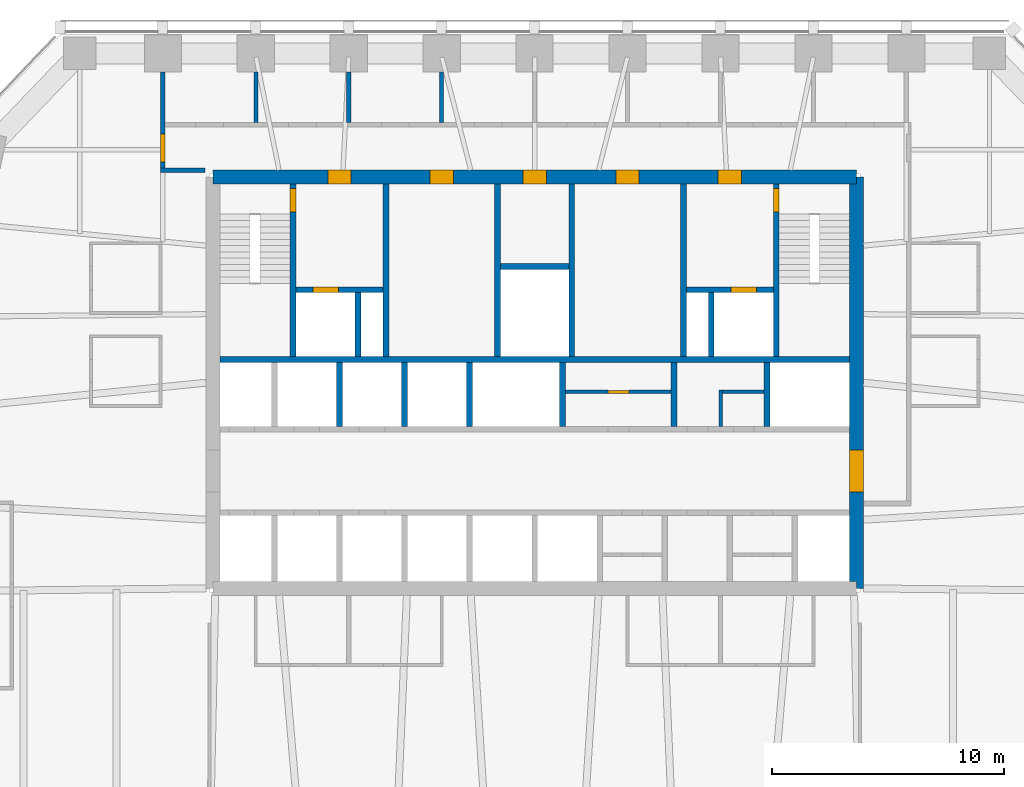
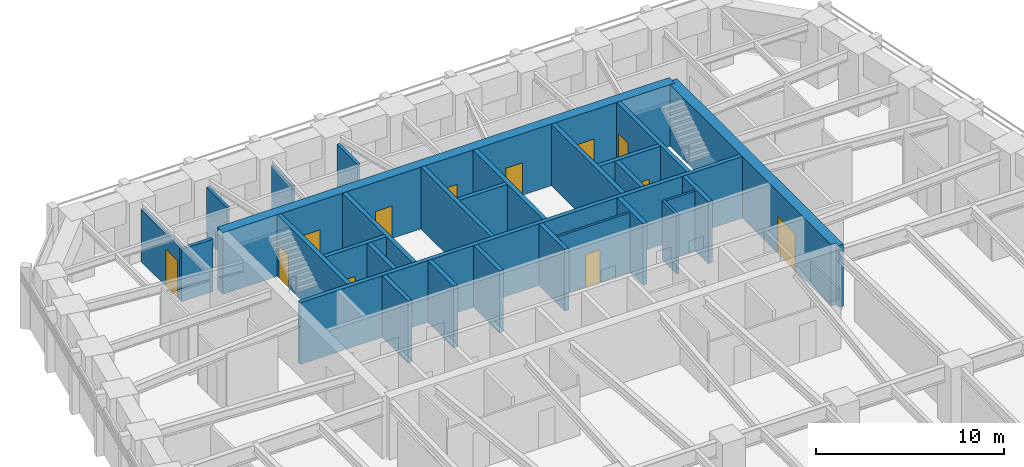
# One storey, part 7 of 10: 28 walls, 12 doors, 12 openings.
"""IFC4 building model written with IfcOpenShell, lengths in metres."""

from ifc_helpers import new_model, si_unit, direction, frame, frame_2d, origin, place, context, subcontext, project, spatial, polyline, rectangle, outline, extrude, material, layer, layer_set, type_object, element, fill, save


model = new_model("IFC4")

# Units and contexts
model_context = context("Model", 3, precision=1e-05, world=origin(), true_north=direction((0.0, 1.0)))
body_context = subcontext(model_context, "Body", "Model", "MODEL_VIEW")
ifc_project = project(units=[si_unit("LENGTHUNIT", "METRE"), si_unit("AREAUNIT", "SQUARE_METRE"), si_unit("VOLUMEUNIT", "CUBIC_METRE"), si_unit("PLANEANGLEUNIT", "RADIAN"), si_unit("MASSUNIT", "GRAM", prefix="KILO")], contexts=[model_context])

# Site, building, storey
site_placement = place(None, origin())
site = spatial("IfcSite", under=ifc_project, at=site_placement, CompositionType="ELEMENT")
building_placement = place(site_placement, origin())
building = spatial("IfcBuilding", under=site, at=building_placement, Name="Isbrekke Arena Tower", CompositionType="ELEMENT")
storey_placement = place(building_placement, frame((0.0, 0.0, 218.0)))
storey = spatial("IfcBuildingStorey", under=building, at=storey_placement, Name="L50", CompositionType="ELEMENT", Elevation=218.0)

# Wall, opening, door
ifc_material_1 = material(Name="Concrete B55 (C55/67)", Category="concrete")
ifc_layer_1 = layer(ifc_material_1, 0.60009765625)
ifc_layer_set_1 = layer_set([ifc_layer_1], Name="CW4 CORE WALL 600")
wall_type_1 = type_object("IfcWallType", Name="CW4 CORE WALL 600", PredefinedType="SHEAR", material=ifc_layer_set_1)
wall_1_placement = place(storey_placement, frame((13.85009765625, 6.14990234375, 0.0), z_axis=(0.0, 0.0, 1.0), x_axis=(0.0, 1.0, 0.0)))
wall_1 = element("IfcWall", 1, at=wall_1_placement, inside=storey, type_object=wall_type_1, Name="Core wall E L50", PredefinedType="SHEAR", context=body_context, shape_type="SweptSolid", body=[
    extrude(outline(polyline([(0.0, -0.300048828125), (17.7001953125, -0.300048828125), (17.7001953125, 0.0), (17.400146484375, 0.0), (17.400146484375, 0.300048828125), (0.300048828125, 0.300048828125), (0.300048828125, 0.0), (0.0, 0.0), (0.0, -0.300048828125)])), origin(), (0.0, 0.0, 1.0), 4.0),
])
opening_1_placement = place(wall_1_placement, frame((4.14990234375, 0.0, 0.0)))
opening_1 = element("IfcOpeningElement", 2, at=opening_1_placement, cuts=wall_1, Name="Opening D1", PredefinedType="OPENING", context=body_context, shape_type="SweptSolid", body=[
    extrude(rectangle(XDim=1.800048828125, YDim=2.39990234375, at=frame_2d((0.89990234375, 1.199951171875))), frame((0.0, 0.31494140625, 0.0), z_axis=(0.0, -1.0, 0.0), x_axis=(1.0, 0.0, 0.0)), (0.0, 0.0, 1.0), 0.6298828125),
])
ifc_material_2 = material(Name="Steel-framed glazed fire door", Category="steel")
door_type_1 = type_object("IfcDoorType", Name="D1 CORE LOBBY DOOR 1800 x 2400", OperationType="DOUBLE_DOOR_SINGLE_SWING", PredefinedType="DOOR", material=ifc_material_2)
door_1_placement = place(opening_1_placement, origin())
door_1 = element("IfcDoor", 3, at=door_1_placement, inside=storey, type_object=door_type_1, Name="D1 lift lobby door east L50", OperationType="DOUBLE_DOOR_SINGLE_SWING", OverallHeight=2.39990234375, OverallWidth=1.800048828125, PredefinedType="DOOR", context=body_context, shape_type="SweptSolid", body=[
    extrude(rectangle(XDim=1.800048828125, YDim=2.39990234375, at=frame_2d((0.89990234375, 1.199951171875))), frame((0.0, 0.2998046875, 0.0), z_axis=(0.0, -1.0, 0.0), x_axis=(1.0, 0.0, 0.0)), (0.0, 0.0, 1.0), 0.599609375),
])
fill(opening_1, door_1)

# Wall, openings, doors
wall_2_placement = place(storey_placement, frame((13.85009765625, 23.85009765625, 0.0), z_axis=(0.0, 0.0, 1.0), x_axis=(-1.0, 0.0, 0.0)))
wall_2 = element("IfcWall", 4, at=wall_2_placement, inside=storey, type_object=wall_type_1, Name="Core wall N L50", PredefinedType="SHEAR", context=body_context, shape_type="SweptSolid", body=[
    extrude(rectangle(XDim=27.7001953125, YDim=0.60009765625, at=frame_2d((13.85009765625, 0.0))), origin(), (0.0, 0.0, 1.0), 4.0),
])
opening_2_placement = place(wall_2_placement, frame((21.75, 0.0, 0.0)))
opening_2 = element("IfcOpeningElement", 5, at=opening_2_placement, cuts=wall_2, Name="Opening D3", PredefinedType="OPENING", context=body_context, shape_type="SweptSolid", body=[
    extrude(rectangle(XDim=1.0, YDim=2.10009765625, at=frame_2d((0.5, 1.050048828125))), frame((0.0, 0.31494140625, 0.0), z_axis=(0.0, -1.0, 0.0), x_axis=(1.0, 0.0, 0.0)), (0.0, 0.0, 1.0), 0.6298828125),
])
opening_3_placement = place(wall_2_placement, frame((4.949951171875, 0.0, 0.0)))
opening_3 = element("IfcOpeningElement", 6, at=opening_3_placement, cuts=wall_2, Name="Opening D3", PredefinedType="OPENING", context=body_context, shape_type="SweptSolid", body=[
    extrude(rectangle(XDim=1.0, YDim=2.10009765625, at=frame_2d((0.5, 1.050048828125))), frame((0.0, 0.31494140625, 0.0), z_axis=(0.0, -1.0, 0.0), x_axis=(1.0, 0.0, 0.0)), (0.0, 0.0, 1.0), 0.6298828125),
])
opening_4_placement = place(wall_2_placement, frame((17.35009765625, 0.0, 0.0)))
opening_4 = element("IfcOpeningElement", 7, at=opening_4_placement, cuts=wall_2, Name="Opening D4", PredefinedType="OPENING", context=body_context, shape_type="SweptSolid", body=[
    extrude(rectangle(XDim=1.0, YDim=2.10009765625, at=frame_2d((0.5, 1.050048828125))), frame((0.0, 0.31494140625, 0.0), z_axis=(0.0, -1.0, 0.0), x_axis=(1.0, 0.0, 0.0)), (0.0, 0.0, 1.0), 0.6298828125),
])
opening_5_placement = place(wall_2_placement, frame((13.35009765625, 0.0, 0.0)))
opening_5 = element("IfcOpeningElement", 8, at=opening_5_placement, cuts=wall_2, Name="Opening D4", PredefinedType="OPENING", context=body_context, shape_type="SweptSolid", body=[
    extrude(rectangle(XDim=1.0, YDim=2.10009765625, at=frame_2d((0.5, 1.050048828125))), frame((0.0, 0.31494140625, 0.0), z_axis=(0.0, -1.0, 0.0), x_axis=(1.0, 0.0, 0.0)), (0.0, 0.0, 1.0), 0.6298828125),
])
opening_6_placement = place(wall_2_placement, frame((9.35009765625, 0.0, 0.0)))
opening_6 = element("IfcOpeningElement", 9, at=opening_6_placement, cuts=wall_2, Name="Opening D4", PredefinedType="OPENING", context=body_context, shape_type="SweptSolid", body=[
    extrude(rectangle(XDim=1.0, YDim=2.10009765625, at=frame_2d((0.5, 1.050048828125))), frame((0.0, 0.31494140625, 0.0), z_axis=(0.0, -1.0, 0.0), x_axis=(1.0, 0.0, 0.0)), (0.0, 0.0, 1.0), 0.6298828125),
])
ifc_material_3 = material(Name="Steel fire door", Category="steel")
door_type_2 = type_object("IfcDoorType", Name="D3 FIRE LOBBY DOOR 1000 x 2100", OperationType="SINGLE_SWING_RIGHT", PredefinedType="DOOR", material=ifc_material_3)
door_2_placement = place(opening_2_placement, origin())
door_2 = element("IfcDoor", 10, at=door_2_placement, inside=storey, type_object=door_type_2, Name="D3 fire-fighting lobby door L50", OperationType="SINGLE_SWING_RIGHT", OverallHeight=2.10009765625, OverallWidth=1.0, PredefinedType="DOOR", context=body_context, shape_type="SweptSolid", body=[
    extrude(rectangle(XDim=1.0, YDim=2.10009765625, at=frame_2d((0.5, 1.050048828125))), frame((0.0, 0.2998046875, 0.0), z_axis=(0.0, -1.0, 0.0), x_axis=(1.0, 0.0, 0.0)), (0.0, 0.0, 1.0), 0.599609375),
])
fill(opening_2, door_2)
door_3_placement = place(opening_3_placement, origin())
door_3 = element("IfcDoor", 11, at=door_3_placement, inside=storey, type_object=door_type_2, Name="D3 fire-fighting lobby door L50", OperationType="SINGLE_SWING_RIGHT", OverallHeight=2.10009765625, OverallWidth=1.0, PredefinedType="DOOR", context=body_context, shape_type="SweptSolid", body=[
    extrude(rectangle(XDim=1.0, YDim=2.10009765625, at=frame_2d((0.5, 1.050048828125))), frame((0.0, 0.2998046875, 0.0), z_axis=(0.0, -1.0, 0.0), x_axis=(1.0, 0.0, 0.0)), (0.0, 0.0, 1.0), 0.599609375),
])
fill(opening_3, door_3)
ifc_material_4 = material(Name="Timber door", Category="wood")
door_type_3 = type_object("IfcDoorType", Name="D4 WC DOOR 1000 x 2100", OperationType="SINGLE_SWING_LEFT", PredefinedType="DOOR", material=ifc_material_4)
door_4_placement = place(opening_4_placement, origin())
door_4 = element("IfcDoor", 12, at=door_4_placement, inside=storey, type_object=door_type_3, Name="D4 wc female door L50", OperationType="SINGLE_SWING_LEFT", OverallHeight=2.10009765625, OverallWidth=1.0, PredefinedType="DOOR", context=body_context, shape_type="SweptSolid", body=[
    extrude(rectangle(XDim=1.0, YDim=2.10009765625, at=frame_2d((0.5, 1.050048828125))), frame((0.0, 0.2998046875, 0.0), z_axis=(0.0, -1.0, 0.0), x_axis=(1.0, 0.0, 0.0)), (0.0, 0.0, 1.0), 0.599609375),
])
fill(opening_4, door_4)
door_5_placement = place(opening_5_placement, origin())
door_5 = element("IfcDoor", 13, at=door_5_placement, inside=storey, type_object=door_type_3, Name="D4 accessible wc door L50", OperationType="SINGLE_SWING_LEFT", OverallHeight=2.10009765625, OverallWidth=1.0, PredefinedType="DOOR", context=body_context, shape_type="SweptSolid", body=[
    extrude(rectangle(XDim=1.0, YDim=2.10009765625, at=frame_2d((0.5, 1.050048828125))), frame((0.0, 0.2998046875, 0.0), z_axis=(0.0, -1.0, 0.0), x_axis=(1.0, 0.0, 0.0)), (0.0, 0.0, 1.0), 0.599609375),
])
fill(opening_5, door_5)
door_6_placement = place(opening_6_placement, origin())
door_6 = element("IfcDoor", 14, at=door_6_placement, inside=storey, type_object=door_type_3, Name="D4 wc male door L50", OperationType="SINGLE_SWING_LEFT", OverallHeight=2.10009765625, OverallWidth=1.0, PredefinedType="DOOR", context=body_context, shape_type="SweptSolid", body=[
    extrude(rectangle(XDim=1.0, YDim=2.10009765625, at=frame_2d((0.5, 1.050048828125))), frame((0.0, 0.2998046875, 0.0), z_axis=(0.0, -1.0, 0.0), x_axis=(1.0, 0.0, 0.0)), (0.0, 0.0, 1.0), 0.599609375),
])
fill(opening_6, door_6)

# Walls
ifc_material_5 = material(Name="Concrete B45 (C45/55)", Category="concrete")
ifc_layer_2 = layer(ifc_material_5, 0.25)
ifc_layer_set_2 = layer_set([ifc_layer_2], Name="CW6 SHAFT WALL 250")
wall_type_2 = type_object("IfcWallType", Name="CW6 SHAFT WALL 250", PredefinedType="SHEAR", material=ifc_layer_set_2)
wall_3_placement = place(storey_placement, frame((-13.550048828125, 16.0, 0.0), z_axis=(0.0, 0.0, 1.0), x_axis=(1.0, 0.0, 0.0)))
element("IfcWall", 15, at=wall_3_placement, inside=storey, type_object=wall_type_2, Name="Core wall NB L50", PredefinedType="SHEAR", context=body_context, shape_type="SweptSolid", body=[
    extrude(rectangle(XDim=27.10009765625, YDim=0.25, at=frame_2d((13.550048828125, 0.0))), origin(), (0.0, 0.0, 1.0), 4.0),
])
for number, where, z_axis, x_axis, name in (
    (16, (-8.39990234375, 13.125, 0.0), (0.0, 0.0, 1.0), (0.0, 1.0, 0.0), "Core wall SN02 L50"),
    (17, (-5.60009765625, 13.125, 0.0), (0.0, 0.0, 1.0), (0.0, 1.0, 0.0), "Core wall SN03 L50"),
    (18, (-2.800048828125, 13.125, 0.0), (0.0, 0.0, 1.0), (0.0, 1.0, 0.0), "Core wall SN04 L50"),
    (19, (1.199951171875, 13.125, 0.0), (0.0, 0.0, 1.0), (0.0, 1.0, 0.0), "Core wall SN05 L50"),
    (20, (6.0, 13.125, 0.0), (0.0, 0.0, 1.0), (0.0, 1.0, 0.0), "Core wall SN06 L50"),
    (21, (10.0, 13.125, 0.0), (0.0, 0.0, 1.0), (0.0, 1.0, 0.0), "Core wall SN07 L50"),
):
    element("IfcWall", number, at=place(storey_placement, frame(where, z_axis=z_axis, x_axis=x_axis)), inside=storey, type_object=wall_type_2, Name=name, PredefinedType="SHEAR", context=body_context, shape_type="SweptSolid", body=[
        extrude(rectangle(XDim=2.75, YDim=0.25, at=frame_2d((1.375, 0.0))), origin(), (0.0, 0.0, 1.0), 4.0),
    ])

# Wall, opening, door
wall_4_placement = place(storey_placement, frame((-10.39990234375, 16.125, 0.0), z_axis=(0.0, 0.0, 1.0), x_axis=(0.0, 1.0, 0.0)))
wall_4 = element("IfcWall", 22, at=wall_4_placement, inside=storey, type_object=wall_type_2, Name="Core wall NV01 L50", PredefinedType="SHEAR", context=body_context, shape_type="SweptSolid", body=[
    extrude(rectangle(XDim=7.425048828125, YDim=0.25, at=frame_2d((3.71240234375, 0.0))), origin(), (0.0, 0.0, 1.0), 4.0),
])
opening_7_placement = place(wall_4_placement, frame((6.22509765625, 0.0, 0.0)))
opening_7 = element("IfcOpeningElement", 23, at=opening_7_placement, cuts=wall_4, Name="Opening D2", PredefinedType="OPENING", context=body_context, shape_type="SweptSolid", body=[
    extrude(rectangle(XDim=1.0, YDim=2.10009765625, at=frame_2d((0.5, 1.050048828125))), frame((0.0, 0.139892578125, 0.0), z_axis=(0.0, -1.0, 0.0), x_axis=(1.0, 0.0, 0.0)), (0.0, 0.0, 1.0), 0.27978515625),
])
ifc_material_6 = material(Name="Steel fire door", Category="steel")
door_type_4 = type_object("IfcDoorType", Name="D2 STAIR DOOR 1000 x 2100", OperationType="SINGLE_SWING_LEFT", PredefinedType="DOOR", material=ifc_material_6)
door_7_placement = place(opening_7_placement, origin())
door_7 = element("IfcDoor", 24, at=door_7_placement, inside=storey, type_object=door_type_4, Name="D2 stair door ST1 L50", OperationType="SINGLE_SWING_LEFT", OverallHeight=2.10009765625, OverallWidth=1.0, PredefinedType="DOOR", context=body_context, shape_type="SweptSolid", body=[
    extrude(rectangle(XDim=1.0, YDim=2.10009765625, at=frame_2d((0.5, 1.050048828125))), frame((0.0, 0.124755859375, 0.0), z_axis=(0.0, -1.0, 0.0), x_axis=(1.0, 0.0, 0.0)), (0.0, 0.0, 1.0), 0.24951171875),
])
fill(opening_7, door_7)

# Walls
for number, where, z_axis, x_axis, name in (
    (25, (-6.39990234375, 16.125, 0.0), (0.0, 0.0, 1.0), (0.0, 1.0, 0.0), "Core wall NV02 L50"),
    (26, (-1.60009765625, 16.125, 0.0), (0.0, 0.0, 1.0), (0.0, 1.0, 0.0), "Core wall NV03 L50"),
    (27, (1.60009765625, 16.125, 0.0), (0.0, 0.0, 1.0), (0.0, 1.0, 0.0), "Core wall NV04 L50"),
    (28, (6.39990234375, 16.125, 0.0), (0.0, 0.0, 1.0), (0.0, 1.0, 0.0), "Core wall NV05 L50"),
):
    element("IfcWall", number, at=place(storey_placement, frame(where, z_axis=z_axis, x_axis=x_axis)), inside=storey, type_object=wall_type_2, Name=name, PredefinedType="SHEAR", context=body_context, shape_type="SweptSolid", body=[
        extrude(rectangle(XDim=7.425048828125, YDim=0.25, at=frame_2d((3.71240234375, 0.0))), origin(), (0.0, 0.0, 1.0), 4.0),
    ])

# Wall, opening, door
wall_5_placement = place(storey_placement, frame((10.39990234375, 16.125, 0.0), z_axis=(0.0, 0.0, 1.0), x_axis=(0.0, 1.0, 0.0)))
wall_5 = element("IfcWall", 29, at=wall_5_placement, inside=storey, type_object=wall_type_2, Name="Core wall NV06 L50", PredefinedType="SHEAR", context=body_context, shape_type="SweptSolid", body=[
    extrude(rectangle(XDim=7.425048828125, YDim=0.25, at=frame_2d((3.71240234375, 0.0))), origin(), (0.0, 0.0, 1.0), 4.0),
])
opening_8_placement = place(wall_5_placement, frame((6.22509765625, 0.0, 0.0)))
opening_8 = element("IfcOpeningElement", 30, at=opening_8_placement, cuts=wall_5, Name="Opening D2", PredefinedType="OPENING", context=body_context, shape_type="SweptSolid", body=[
    extrude(rectangle(XDim=1.0, YDim=2.10009765625, at=frame_2d((0.5, 1.050048828125))), frame((0.0, 0.139892578125, 0.0), z_axis=(0.0, -1.0, 0.0), x_axis=(1.0, 0.0, 0.0)), (0.0, 0.0, 1.0), 0.27978515625),
])
door_8_placement = place(opening_8_placement, origin())
door_8 = element("IfcDoor", 31, at=door_8_placement, inside=storey, type_object=door_type_4, Name="D2 stair door ST2 L50", OperationType="SINGLE_SWING_LEFT", OverallHeight=2.10009765625, OverallWidth=1.0, PredefinedType="DOOR", context=body_context, shape_type="SweptSolid", body=[
    extrude(rectangle(XDim=1.0, YDim=2.10009765625, at=frame_2d((0.5, 1.050048828125))), frame((0.0, 0.124755859375, 0.0), z_axis=(0.0, -1.0, 0.0), x_axis=(1.0, 0.0, 0.0)), (0.0, 0.0, 1.0), 0.24951171875),
])
fill(opening_8, door_8)

wall_6_placement = place(storey_placement, frame((-10.27490234375, 19.0, 0.0), z_axis=(0.0, 0.0, 1.0), x_axis=(1.0, 0.0, 0.0)))
wall_6 = element("IfcWall", 32, at=wall_6_placement, inside=storey, type_object=wall_type_2, Name="Core wall NFW L50", PredefinedType="SHEAR", context=body_context, shape_type="SweptSolid", body=[
    extrude(rectangle(XDim=3.75, YDim=0.25, at=frame_2d((1.875, 0.0))), origin(), (0.0, 0.0, 1.0), 4.0),
])
opening_9_placement = place(wall_6_placement, frame((0.72509765625, 0.0, 0.0)))
opening_9 = element("IfcOpeningElement", 33, at=opening_9_placement, cuts=wall_6, Name="Opening LD2", PredefinedType="OPENING", context=body_context, shape_type="SweptSolid", body=[
    extrude(rectangle(XDim=1.10009765625, YDim=2.10009765625, at=frame_2d((0.550048828125, 1.050048828125))), frame((0.0, 0.139892578125, 0.0), z_axis=(0.0, -1.0, 0.0), x_axis=(1.0, 0.0, 0.0)), (0.0, 0.0, 1.0), 0.27978515625),
])
ifc_material_7 = material(Name="Stainless steel lift landing door", Category="steel")
door_type_5 = type_object("IfcDoorType", Name="LD2 FIRE-FIGHTING LIFT LANDING DOOR 1100 x 2100", OperationType="SLIDING_TO_RIGHT", PredefinedType="DOOR", material=ifc_material_7)
door_9_placement = place(opening_9_placement, origin())
door_9 = element("IfcDoor", 34, at=door_9_placement, inside=storey, type_object=door_type_5, Name="LD2 lift landing door LF L50", OperationType="SLIDING_TO_RIGHT", OverallHeight=2.10009765625, OverallWidth=1.10009765625, PredefinedType="DOOR", context=body_context, shape_type="SweptSolid", body=[
    extrude(rectangle(XDim=1.10009765625, YDim=2.10009765625, at=frame_2d((0.550048828125, 1.050048828125))), frame((0.0, 0.124755859375, 0.0), z_axis=(0.0, -1.0, 0.0), x_axis=(1.0, 0.0, 0.0)), (0.0, 0.0, 1.0), 0.24951171875),
])
fill(opening_9, door_9)

wall_7_placement = place(storey_placement, frame((6.52490234375, 19.0, 0.0), z_axis=(0.0, 0.0, 1.0), x_axis=(1.0, 0.0, 0.0)))
wall_7 = element("IfcWall", 35, at=wall_7_placement, inside=storey, type_object=wall_type_2, Name="Core wall NFE L50", PredefinedType="SHEAR", context=body_context, shape_type="SweptSolid", body=[
    extrude(rectangle(XDim=3.75, YDim=0.25, at=frame_2d((1.875, 0.0))), origin(), (0.0, 0.0, 1.0), 4.0),
])
opening_10_placement = place(wall_7_placement, frame((1.925048828125, 0.0, 0.0)))
opening_10 = element("IfcOpeningElement", 36, at=opening_10_placement, cuts=wall_7, Name="Opening LD2", PredefinedType="OPENING", context=body_context, shape_type="SweptSolid", body=[
    extrude(rectangle(XDim=1.10009765625, YDim=2.10009765625, at=frame_2d((0.550048828125, 1.050048828125))), frame((0.0, 0.139892578125, 0.0), z_axis=(0.0, -1.0, 0.0), x_axis=(1.0, 0.0, 0.0)), (0.0, 0.0, 1.0), 0.27978515625),
])
door_10_placement = place(opening_10_placement, origin())
door_10 = element("IfcDoor", 37, at=door_10_placement, inside=storey, type_object=door_type_5, Name="LD2 lift landing door LF L50", OperationType="SLIDING_TO_RIGHT", OverallHeight=2.10009765625, OverallWidth=1.10009765625, PredefinedType="DOOR", context=body_context, shape_type="SweptSolid", body=[
    extrude(rectangle(XDim=1.10009765625, YDim=2.10009765625, at=frame_2d((0.550048828125, 1.050048828125))), frame((0.0, 0.124755859375, 0.0), z_axis=(0.0, -1.0, 0.0), x_axis=(1.0, 0.0, 0.0)), (0.0, 0.0, 1.0), 0.24951171875),
])
fill(opening_10, door_10)

# Walls
for number, where, z_axis, x_axis, name in (
    (38, (-7.60009765625, 16.125, 0.0), (0.0, 0.0, 1.0), (0.0, 1.0, 0.0), "Core wall NFS1 L50"),
    (39, (7.60009765625, 16.125, 0.0), (0.0, 0.0, 1.0), (0.0, 1.0, 0.0), "Core wall NFS2 L50"),
):
    element("IfcWall", number, at=place(storey_placement, frame(where, z_axis=z_axis, x_axis=x_axis)), inside=storey, type_object=wall_type_2, Name=name, PredefinedType="SHEAR", context=body_context, shape_type="SweptSolid", body=[
        extrude(rectangle(XDim=2.75, YDim=0.25, at=frame_2d((1.375, 0.0))), origin(), (0.0, 0.0, 1.0), 4.0),
    ])
wall_8_placement = place(storey_placement, frame((-1.47509765625, 20.0, 0.0), z_axis=(0.0, 0.0, 1.0), x_axis=(1.0, 0.0, 0.0)))
element("IfcWall", 40, at=wall_8_placement, inside=storey, type_object=wall_type_2, Name="Core wall NWC L50", PredefinedType="SHEAR", context=body_context, shape_type="SweptSolid", body=[
    extrude(rectangle(XDim=2.9501953125, YDim=0.25, at=frame_2d((1.47509765625, 0.0))), origin(), (0.0, 0.0, 1.0), 4.0),
])
ifc_material_8 = material(Name="Gypsum board fire-cell wall on steel studs, two layers each side", Category="steel")
ifc_layer_3 = layer(ifc_material_8, 0.199951171875)
ifc_layer_set_3 = layer_set([ifc_layer_3], Name="IW3 FIRE-CELL WALL 200")
wall_type_3 = type_object("IfcWallType", Name="IW3 FIRE-CELL WALL 200", PredefinedType="PARTITIONING", material=ifc_layer_set_3)
wall_9_placement = place(storey_placement, frame((-16.10009765625, 24.14990234375, 0.0), z_axis=(0.0, 0.0, 1.0), x_axis=(1.0, 0.0, 0.0)))
element("IfcWall", 41, at=wall_9_placement, inside=storey, type_object=wall_type_3, Name="IW3 fire-cell wall 200 L50", PredefinedType="PARTITIONING", context=body_context, shape_type="SweptSolid", body=[
    extrude(rectangle(XDim=1.920166015625, YDim=0.199951171875, at=frame_2d((0.9599609375, 0.0))), origin(), (0.0, 0.0, 1.0), 3.39990234375),
])

# Wall, opening, door
wall_10_placement = place(storey_placement, frame((-16.0, 24.25, 0.0), z_axis=(0.0, 0.0, 1.0), x_axis=(0.0, 1.0, 0.0)))
wall_10 = element("IfcWall", 42, at=wall_10_placement, inside=storey, type_object=wall_type_3, Name="IW3 fire-cell wall 200 L50", PredefinedType="PARTITIONING", context=body_context, shape_type="SweptSolid", body=[
    extrude(rectangle(XDim=4.125, YDim=0.199951171875, at=frame_2d((2.0625, 0.0))), origin(), (0.0, 0.0, 1.0), 3.39990234375),
])
opening_11_placement = place(wall_10_placement, frame((0.25, 0.0, 0.0)))
opening_11 = element("IfcOpeningElement", 43, at=opening_11_placement, cuts=wall_10, Name="Opening D12", PredefinedType="OPENING", context=body_context, shape_type="SweptSolid", body=[
    extrude(rectangle(XDim=1.199951171875, YDim=2.39990234375, at=frame_2d((0.60009765625, 1.199951171875))), frame((0.0, 0.11474609375, 0.0), z_axis=(0.0, -1.0, 0.0), x_axis=(1.0, 0.0, 0.0)), (0.0, 0.0, 1.0), 0.229736328125),
])
ifc_material_9 = material(Name="Timber fire door with vision panel", Category="wood")
door_type_6 = type_object("IfcDoorType", Name="D12 SUITE ENTRANCE DOOR 1200 x 2400", OperationType="SINGLE_SWING_LEFT", PredefinedType="DOOR", material=ifc_material_9)
door_11_placement = place(opening_11_placement, origin())
door_11 = element("IfcDoor", 44, at=door_11_placement, inside=storey, type_object=door_type_6, Name="D12 suite entrance A door L50", OperationType="SINGLE_SWING_LEFT", OverallHeight=2.39990234375, OverallWidth=1.199951171875, PredefinedType="DOOR", context=body_context, shape_type="SweptSolid", body=[
    extrude(rectangle(XDim=1.199951171875, YDim=2.39990234375, at=frame_2d((0.60009765625, 1.199951171875))), frame((0.0, 0.099609375, 0.0), z_axis=(0.0, -1.0, 0.0), x_axis=(1.0, 0.0, 0.0)), (0.0, 0.0, 1.0), 0.199462890625),
])
fill(opening_11, door_11)

# Walls
ifc_material_10 = material(Name="Gypsum board acoustic partition on twin steel studs", Category="steel")
ifc_layer_4 = layer(ifc_material_10, 0.175048828125)
ifc_layer_set_4 = layer_set([ifc_layer_4], Name="IW4 ACOUSTIC PARTITION 175")
wall_type_4 = type_object("IfcWallType", Name="IW4 ACOUSTIC PARTITION 175", PredefinedType="PARTITIONING", material=ifc_layer_set_4)
for number, where, z_axis, x_axis, name in (
    (45, (-12.0, 26.199951171875, 0.0), (0.0, 0.0, 1.0), (0.0, 1.0, 0.0), "IW4 acoustic partition 175 L50"),
    (46, (-8.0, 26.199951171875, 0.0), (0.0, 0.0, 1.0), (0.0, 1.0, 0.0), "IW4 acoustic partition 175 L50"),
    (47, (-4.0, 26.199951171875, 0.0), (0.0, 0.0, 1.0), (0.0, 1.0, 0.0), "IW4 acoustic partition 175 L50"),
):
    element("IfcWall", number, at=place(storey_placement, frame(where, z_axis=z_axis, x_axis=x_axis)), inside=storey, type_object=wall_type_4, Name=name, PredefinedType="PARTITIONING", context=body_context, shape_type="SweptSolid", body=[
        extrude(rectangle(XDim=2.175048828125, YDim=0.175048828125, at=frame_2d((1.08740234375, 0.0))), origin(), (0.0, 0.0, 1.0), 3.39990234375),
    ])

# Wall, opening, door
ifc_material_11 = material(Name="Gypsum board fire-rated partition on steel studs, two layers each side", Category="steel")
ifc_layer_5 = layer(ifc_material_11, 0.14990234375)
ifc_layer_set_5 = layer_set([ifc_layer_5], Name="IW5 FIRE-RATED PARTITION 150")
wall_type_5 = type_object("IfcWallType", Name="IW5 FIRE-RATED PARTITION 150", PredefinedType="PARTITIONING", material=ifc_layer_set_5)
wall_11_placement = place(storey_placement, frame((1.324951171875, 14.60009765625, 0.0), z_axis=(0.0, 0.0, 1.0), x_axis=(1.0, 0.0, 0.0)))
wall_11 = element("IfcWall", 48, at=wall_11_placement, inside=storey, type_object=wall_type_5, Name="IW5 fire-rated partition L50 core service rooms 1", PredefinedType="PARTITIONING", context=body_context, shape_type="SweptSolid", body=[
    extrude(rectangle(XDim=4.550048828125, YDim=0.14990234375, at=frame_2d((2.27490234375, 0.0))), origin(), (0.0, 0.0, 1.0), 3.85009765625),
])
opening_12_placement = place(wall_11_placement, frame((1.824951171875, 0.0, 0.0)))
opening_12 = element("IfcOpeningElement", 49, at=opening_12_placement, cuts=wall_11, Name="Opening D5", PredefinedType="OPENING", context=body_context, shape_type="SweptSolid", body=[
    extrude(rectangle(XDim=0.89990234375, YDim=2.10009765625, at=frame_2d((0.449951171875, 1.050048828125))), frame((0.0, 0.08984375, 0.0), z_axis=(0.0, -1.0, 0.0), x_axis=(1.0, 0.0, 0.0)), (0.0, 0.0, 1.0), 0.1796875),
])
ifc_material_12 = material(Name="Steel fire door", Category="steel")
door_type_7 = type_object("IfcDoorType", Name="D5 SERVICE DOOR 900 x 2100", OperationType="SINGLE_SWING_LEFT", PredefinedType="DOOR", material=ifc_material_12)
door_12_placement = place(opening_12_placement, origin())
door_12 = element("IfcDoor", 50, at=door_12_placement, inside=storey, type_object=door_type_7, Name="D5 tenant store door L50", OperationType="SINGLE_SWING_LEFT", OverallHeight=2.10009765625, OverallWidth=0.89990234375, PredefinedType="DOOR", context=body_context, shape_type="SweptSolid", body=[
    extrude(rectangle(XDim=0.89990234375, YDim=2.10009765625, at=frame_2d((0.449951171875, 1.050048828125))), frame((0.0, 0.07470703125, 0.0), z_axis=(0.0, -1.0, 0.0), x_axis=(1.0, 0.0, 0.0)), (0.0, 0.0, 1.0), 0.1494140625),
])
fill(opening_12, door_12)

# Walls
wall_12_placement = place(storey_placement, frame((8.0, 13.125, 0.0), z_axis=(0.0, 0.0, 1.0), x_axis=(0.0, 1.0, 0.0)))
element("IfcWall", 51, at=wall_12_placement, inside=storey, type_object=wall_type_5, Name="IW5 fire-rated partition L50 core service rooms 2", PredefinedType="PARTITIONING", context=body_context, shape_type="SweptSolid", body=[
    extrude(rectangle(XDim=1.550048828125, YDim=0.14990234375, at=frame_2d((0.77490234375, 0.0))), origin(), (0.0, 0.0, 1.0), 3.85009765625),
])
wall_13_placement = place(storey_placement, frame((8.074951171875, 14.60009765625, 0.0), z_axis=(0.0, 0.0, 1.0), x_axis=(1.0, 0.0, 0.0)))
element("IfcWall", 52, at=wall_13_placement, inside=storey, type_object=wall_type_5, Name="IW5 fire-rated partition L50 core service rooms 3", PredefinedType="PARTITIONING", context=body_context, shape_type="SweptSolid", body=[
    extrude(rectangle(XDim=1.800048828125, YDim=0.14990234375, at=frame_2d((0.89990234375, 0.0))), origin(), (0.0, 0.0, 1.0), 3.85009765625),
])

save(model, "model.ifc")
